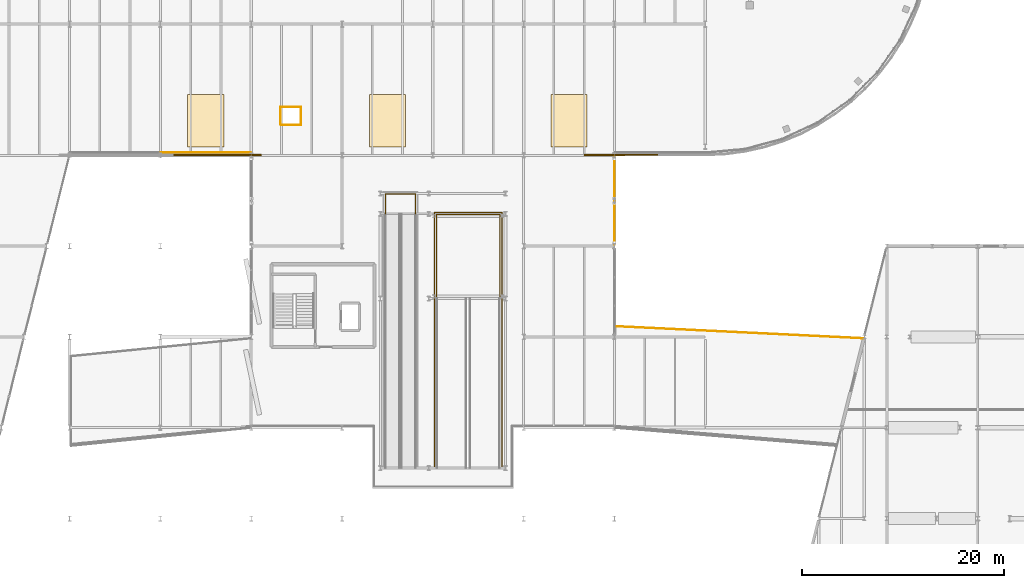
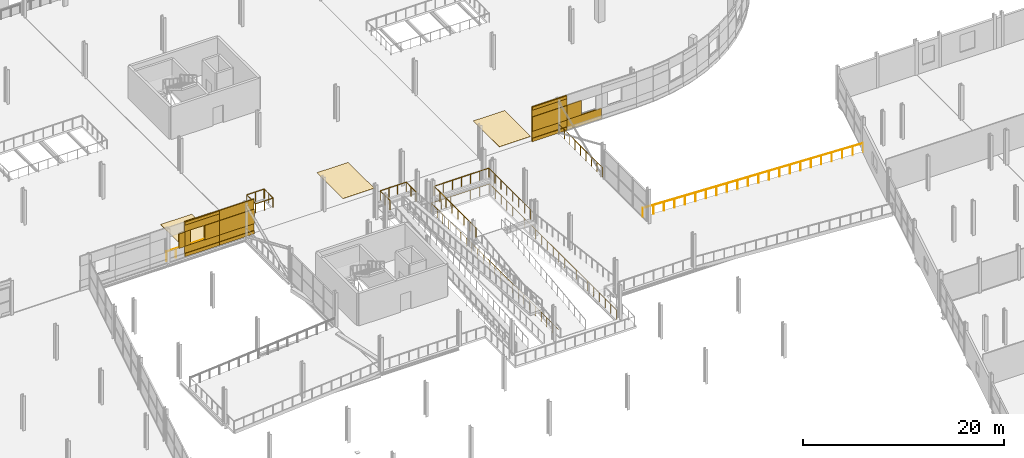
# One storey, part 127 of 135: 21 coverings, 8 railings.
"""IFC4 building model written with IfcOpenShell, lengths in metres."""

from ifc_helpers import new_model, si_unit, direction, frame, origin, origin_2d, place, context, subcontext, project, spatial, polyline, rectangle, circle, outline, extrude, material, layer, layer_set, type_object, element, save


model = new_model("IFC4")

# Units and contexts
model_context = context("Model", 3, precision=1e-05, world=origin(), true_north=direction((0.0, 1.0)))
body_context = subcontext(model_context, "Body", "Model", "MODEL_VIEW")
ifc_project = project(units=[si_unit("LENGTHUNIT", "METRE"), si_unit("AREAUNIT", "SQUARE_METRE"), si_unit("VOLUMEUNIT", "CUBIC_METRE"), si_unit("PLANEANGLEUNIT", "RADIAN"), si_unit("MASSUNIT", "GRAM", prefix="KILO")], contexts=[model_context])

# Site, building, storey
site_placement = place(None, origin())
site = spatial("IfcSite", under=ifc_project, at=site_placement, CompositionType="ELEMENT")
building_placement = place(site_placement, origin())
building = spatial("IfcBuilding", under=site, at=building_placement, Name="Deido Ridge Mobility Hub", CompositionType="ELEMENT")
storey_placement = place(building_placement, frame((0.0, 0.0, 4.199951171875)))
storey = spatial("IfcBuildingStorey", under=building, at=storey_placement, Name="L01", CompositionType="ELEMENT", Elevation=4.199951171875)

# Coverings
ifc_material_1 = material(Name="Fired clay brick masonry", Category="masonry")
ifc_layer_1 = layer(ifc_material_1, 0.114990234375, Name="Fired clay brick masonry")
ifc_layer_set_1 = layer_set([ifc_layer_1], Name="Fired clay brick masonry")
covering_type_1 = type_object("IfcCoveringType", Name="COV-BRK-SCREEN-115", PredefinedType="CLADDING", material=ifc_layer_set_1)
covering_1_placement = place(storey_placement, frame((64.672607421875, 81.02490234375, 1.25), z_axis=(0.0, 0.0, 1.0), x_axis=(1.0, 0.0, 0.0)))
element("IfcCovering", 1, at=covering_1_placement, inside=storey, type_object=covering_type_1, Name="Open brickwork pier BKS1 (L01)", PredefinedType="CLADDING", context=body_context, shape_type="SweptSolid", body=[
    extrude(rectangle(XDim=0.655029296875, YDim=0.179931640625, at=origin_2d()), origin(), (0.0, 0.0, 1.0), 1.75),
])
covering_2_placement = place(storey_placement, frame((67.0, 81.052490234375, 0.0), z_axis=(0.0, 0.0, 1.0), x_axis=(1.0, 0.0, 0.0)))
element("IfcCovering", 2, at=covering_2_placement, inside=storey, type_object=covering_type_1, Name="Open brickwork spandrel course BKS1 (L01)", PredefinedType="CLADDING", context=body_context, shape_type="SweptSolid", body=[
    extrude(rectangle(XDim=4.01611328125, YDim=0.125, at=origin_2d()), origin(), (0.0, 0.0, 1.0), 1.25),
])
covering_3_placement = place(storey_placement, frame((67.0, 81.02490234375, 0.0), z_axis=(0.0, 0.0, 1.0), x_axis=(1.0, 0.0, 0.0)))
element("IfcCovering", 3, at=covering_3_placement, inside=storey, type_object=covering_type_1, Name="Raised brick relief belt BKS1 (L01)", PredefinedType="CLADDING", context=body_context, shape_type="SweptSolid", body=[
    extrude(rectangle(XDim=4.01611328125, YDim=0.179931640625, at=origin_2d()), origin(), (0.0, 0.0, 1.0), 0.39990234375),
])
covering_4_placement = place(storey_placement, frame((67.0, 81.052490234375, 3.0), z_axis=(0.0, 0.0, 1.0), x_axis=(1.0, 0.0, 0.0)))
element("IfcCovering", 4, at=covering_4_placement, inside=storey, type_object=covering_type_1, Name="Open brickwork lintel course BKS1 (L01)", PredefinedType="CLADDING", context=body_context, shape_type="SweptSolid", body=[
    extrude(rectangle(XDim=4.01611328125, YDim=0.125, at=origin_2d()), origin(), (0.0, 0.0, 1.0), 1.199951171875),
])
covering_5_placement = place(storey_placement, frame((67.0, 81.02490234375, 3.83984375), z_axis=(0.0, 0.0, 1.0), x_axis=(1.0, 0.0, 0.0)))
element("IfcCovering", 5, at=covering_5_placement, inside=storey, type_object=covering_type_1, Name="Raised brick relief cornice BKS1 (L01)", PredefinedType="CLADDING", context=body_context, shape_type="SweptSolid", body=[
    extrude(rectangle(XDim=4.01611328125, YDim=0.179931640625, at=origin_2d()), origin(), (0.0, 0.0, 1.0), 0.360107421875),
])
covering_6_placement = place(storey_placement, frame((65.327392578125, 81.052490234375, 1.25), z_axis=(0.0, 0.0, 1.0), x_axis=(1.0, 0.0, 0.0)))
element("IfcCovering", 6, at=covering_6_placement, inside=storey, type_object=covering_type_1, Name="Open brickwork pier BKS1 (L01)", PredefinedType="CLADDING", context=body_context, shape_type="SweptSolid", body=[
    extrude(rectangle(XDim=0.655029296875, YDim=0.125, at=origin_2d()), origin(), (0.0, 0.0, 1.0), 1.75),
])
covering_7_placement = place(storey_placement, frame((68.152587890625, 81.02490234375, 1.25), z_axis=(0.0, 0.0, 1.0), x_axis=(1.0, 0.0, 0.0)))
element("IfcCovering", 7, at=covering_7_placement, inside=storey, type_object=covering_type_1, Name="Open brickwork pier BKS1 (L01)", PredefinedType="CLADDING", context=body_context, shape_type="SweptSolid", body=[
    extrude(rectangle(XDim=1.695068359375, YDim=0.179931640625, at=origin_2d()), origin(), (0.0, 0.0, 1.0), 1.75),
])
covering_8_placement = place(storey_placement, frame((71.0, 81.052490234375, 0.0), z_axis=(0.0, 0.0, 1.0), x_axis=(1.0, 0.0, 0.0)))
element("IfcCovering", 8, at=covering_8_placement, inside=storey, type_object=covering_type_1, Name="Open brickwork spandrel course BKS1 (L01)", PredefinedType="CLADDING", context=body_context, shape_type="SweptSolid", body=[
    extrude(rectangle(XDim=4.01611328125, YDim=0.125, at=origin_2d()), origin(), (0.0, 0.0, 1.0), 1.25),
])
covering_9_placement = place(storey_placement, frame((71.0, 81.02490234375, 0.0), z_axis=(0.0, 0.0, 1.0), x_axis=(1.0, 0.0, 0.0)))
element("IfcCovering", 9, at=covering_9_placement, inside=storey, type_object=covering_type_1, Name="Raised brick relief belt BKS1 (L01)", PredefinedType="CLADDING", context=body_context, shape_type="SweptSolid", body=[
    extrude(rectangle(XDim=4.01611328125, YDim=0.179931640625, at=origin_2d()), origin(), (0.0, 0.0, 1.0), 0.39990234375),
])
covering_10_placement = place(storey_placement, frame((71.0, 81.052490234375, 3.0), z_axis=(0.0, 0.0, 1.0), x_axis=(1.0, 0.0, 0.0)))
element("IfcCovering", 10, at=covering_10_placement, inside=storey, type_object=covering_type_1, Name="Open brickwork lintel course BKS1 (L01)", PredefinedType="CLADDING", context=body_context, shape_type="SweptSolid", body=[
    extrude(rectangle(XDim=4.01611328125, YDim=0.125, at=origin_2d()), origin(), (0.0, 0.0, 1.0), 1.199951171875),
])
covering_11_placement = place(storey_placement, frame((71.0, 81.02490234375, 1.25), z_axis=(0.0, 0.0, 1.0), x_axis=(1.0, 0.0, 0.0)))
element("IfcCovering", 11, at=covering_11_placement, inside=storey, type_object=covering_type_1, Name="Raised brick relief panel BKS1 (L01)", PredefinedType="CLADDING", context=body_context, shape_type="SweptSolid", body=[
    extrude(rectangle(XDim=4.008056640625, YDim=0.179931640625, at=origin_2d()), origin(), (0.0, 0.0, 1.0), 1.75),
])
covering_12_placement = place(storey_placement, frame((107.0, 81.052490234375, 0.0), z_axis=(0.0, 0.0, 1.0), x_axis=(1.0, 0.0, 0.0)))
element("IfcCovering", 12, at=covering_12_placement, inside=storey, type_object=covering_type_1, Name="Open brickwork spandrel course BKS1 (L01)", PredefinedType="CLADDING", context=body_context, shape_type="SweptSolid", body=[
    extrude(rectangle(XDim=4.01611328125, YDim=0.125, at=origin_2d()), origin(), (0.0, 0.0, 1.0), 1.25),
])
covering_13_placement = place(storey_placement, frame((107.0, 81.02490234375, 0.0), z_axis=(0.0, 0.0, 1.0), x_axis=(1.0, 0.0, 0.0)))
element("IfcCovering", 13, at=covering_13_placement, inside=storey, type_object=covering_type_1, Name="Raised brick relief belt BKS1 (L01)", PredefinedType="CLADDING", context=body_context, shape_type="SweptSolid", body=[
    extrude(rectangle(XDim=4.01611328125, YDim=0.179931640625, at=origin_2d()), origin(), (0.0, 0.0, 1.0), 0.39990234375),
])
covering_14_placement = place(storey_placement, frame((107.0, 81.052490234375, 3.0), z_axis=(0.0, 0.0, 1.0), x_axis=(1.0, 0.0, 0.0)))
element("IfcCovering", 14, at=covering_14_placement, inside=storey, type_object=covering_type_1, Name="Open brickwork lintel course BKS1 (L01)", PredefinedType="CLADDING", context=body_context, shape_type="SweptSolid", body=[
    extrude(rectangle(XDim=4.01611328125, YDim=0.125, at=origin_2d()), origin(), (0.0, 0.0, 1.0), 1.199951171875),
])
covering_15_placement = place(storey_placement, frame((107.0, 81.02490234375, 3.83984375), z_axis=(0.0, 0.0, 1.0), x_axis=(1.0, 0.0, 0.0)))
element("IfcCovering", 15, at=covering_15_placement, inside=storey, type_object=covering_type_1, Name="Raised brick relief cornice BKS1 (L01)", PredefinedType="CLADDING", context=body_context, shape_type="SweptSolid", body=[
    extrude(rectangle(XDim=4.01611328125, YDim=0.179931640625, at=origin_2d()), origin(), (0.0, 0.0, 1.0), 0.360107421875),
])
covering_16_placement = place(storey_placement, frame((107.0, 81.02490234375, 1.25), z_axis=(0.0, 0.0, 1.0), x_axis=(1.0, 0.0, 0.0)))
element("IfcCovering", 16, at=covering_16_placement, inside=storey, type_object=covering_type_1, Name="Raised brick relief panel BKS1 (L01)", PredefinedType="CLADDING", context=body_context, shape_type="SweptSolid", body=[
    extrude(rectangle(XDim=4.008056640625, YDim=0.179931640625, at=origin_2d()), origin(), (0.0, 0.0, 1.0), 1.75),
])
covering_17_placement = place(storey_placement, frame((111.0, 81.052490234375, 0.0), z_axis=(0.0, 0.0, 1.0), x_axis=(1.0, 0.0, 0.0)))
element("IfcCovering", 17, at=covering_17_placement, inside=storey, type_object=covering_type_1, Name="Open brickwork spandrel course BKS1 (L01)", PredefinedType="CLADDING", context=body_context, shape_type="SweptSolid", body=[
    extrude(rectangle(XDim=4.01611328125, YDim=0.125, at=origin_2d()), origin(), (0.0, 0.0, 1.0), 1.25),
])
covering_18_placement = place(storey_placement, frame((109.847412109375, 81.052490234375, 1.25), z_axis=(0.0, 0.0, 1.0), x_axis=(1.0, 0.0, 0.0)))
element("IfcCovering", 18, at=covering_18_placement, inside=storey, type_object=covering_type_1, Name="Open brickwork pier BKS1 (L01)", PredefinedType="CLADDING", context=body_context, shape_type="SweptSolid", body=[
    extrude(rectangle(XDim=1.695068359375, YDim=0.125, at=origin_2d()), origin(), (0.0, 0.0, 1.0), 1.75),
])
ifc_material_2 = material(Name="Epoxy terrazzo floor finish")
ifc_layer_2 = layer(ifc_material_2, 0.02001953125, Name="Epoxy terrazzo floor finish")
ifc_layer_set_2 = layer_set([ifc_layer_2], Name="Epoxy terrazzo floor finish")
covering_type_2 = type_object("IfcCoveringType", Name="COV-FLR-TER-20", PredefinedType="FLOORING", material=ifc_layer_set_2)
covering_19_placement = place(storey_placement, origin())
element("IfcCovering", 19, at=covering_19_placement, inside=storey, type_object=covering_type_2, Name="Accessible parking bay marking AB07", PredefinedType="FLOORING", context=body_context, shape_type="SweptSolid", body=[
    extrude(outline(polyline([(65.699951171875, 81.800048828125), (69.300048828125, 81.800048828125), (69.300048828125, 87.0), (65.699951171875, 87.0), (65.699951171875, 81.800048828125)])), origin(), (0.0, 0.0, 1.0), 0.02001953125),
])
covering_20_placement = place(storey_placement, origin())
element("IfcCovering", 20, at=covering_20_placement, inside=storey, type_object=covering_type_2, Name="Accessible parking bay marking AB08", PredefinedType="FLOORING", context=body_context, shape_type="SweptSolid", body=[
    extrude(outline(polyline([(83.699951171875, 81.800048828125), (87.300048828125, 81.800048828125), (87.300048828125, 87.0), (83.699951171875, 87.0), (83.699951171875, 81.800048828125)])), origin(), (0.0, 0.0, 1.0), 0.02001953125),
])
covering_21_placement = place(storey_placement, origin())
element("IfcCovering", 21, at=covering_21_placement, inside=storey, type_object=covering_type_2, Name="Accessible parking bay marking AB09", PredefinedType="FLOORING", context=body_context, shape_type="SweptSolid", body=[
    extrude(outline(polyline([(101.699951171875, 81.800048828125), (105.300048828125, 81.800048828125), (105.300048828125, 87.0), (101.699951171875, 87.0), (101.699951171875, 81.800048828125)])), origin(), (0.0, 0.0, 1.0), 0.02001953125),
])

# Railings
ifc_material_3 = material(Name="Galvanised steel work", Category="steel")
railing_type = type_object("IfcRailingType", Name="RL-GRD-EXT-1150", PredefinedType="GUARDRAIL", material=ifc_material_3)
railing_1_placement = place(storey_placement, frame((108.0, 64.050048828125, 0.0)))
element("IfcRailing", 22, at=railing_1_placement, inside=storey, type_object=railing_type, Name="Skybridge skewed east-north edge guard GR1", PredefinedType="GUARDRAIL", context=body_context, shape_type="SweptSolid", body=[
    extrude(circle(Radius=0.02392578125, at=origin_2d()), frame((0.0, 0.0, 1.1259765625), z_axis=(0.998817242483, -0.048622177236, 0.0), x_axis=(0.048622177236, 0.998817242483, 0.0)), (0.0, 0.0, 1.0), 24.67919921875),
    extrude(circle(Radius=0.02099609375, at=origin_2d()), origin(), (0.0, 0.0, 1.0), 1.101806640625),
    extrude(circle(Radius=0.02099609375, at=origin_2d()), frame((1.173828125, -0.05712890625, 0.0)), (0.0, 0.0, 1.0), 1.101806640625),
    extrude(circle(Radius=0.02099609375, at=origin_2d()), frame((2.34765625, -0.1142578125, 0.0)), (0.0, 0.0, 1.0), 1.101806640625),
    extrude(circle(Radius=0.02099609375, at=origin_2d()), frame((3.521484375, -0.17138671875, 0.0)), (0.0, 0.0, 1.0), 1.101806640625),
    extrude(circle(Radius=0.02099609375, at=origin_2d()), frame((4.6953125, -0.228515625, 0.0)), (0.0, 0.0, 1.0), 1.101806640625),
    extrude(circle(Radius=0.02099609375, at=origin_2d()), frame((5.869140625, -0.28564453125, 0.0)), (0.0, 0.0, 1.0), 1.101806640625),
    extrude(circle(Radius=0.02099609375, at=origin_2d()), frame((7.042724609375, -0.3427734375, 0.0)), (0.0, 0.0, 1.0), 1.101806640625),
    extrude(circle(Radius=0.02099609375, at=origin_2d()), frame((8.216552734375, -0.39990234375, 0.0)), (0.0, 0.0, 1.0), 1.101806640625),
    extrude(circle(Radius=0.02099609375, at=origin_2d()), frame((9.390380859375, -0.45703125, 0.0)), (0.0, 0.0, 1.0), 1.101806640625),
    extrude(circle(Radius=0.02099609375, at=origin_2d()), frame((10.564208984375, -0.51416015625, 0.0)), (0.0, 0.0, 1.0), 1.101806640625),
    extrude(circle(Radius=0.02099609375, at=origin_2d()), frame((11.738037109375, -0.5712890625, 0.0)), (0.0, 0.0, 1.0), 1.101806640625),
    extrude(circle(Radius=0.02099609375, at=origin_2d()), frame((12.911865234375, -0.628662109375, 0.0)), (0.0, 0.0, 1.0), 1.101806640625),
    extrude(circle(Radius=0.02099609375, at=origin_2d()), frame((14.085693359375, -0.685791015625, 0.0)), (0.0, 0.0, 1.0), 1.101806640625),
    extrude(circle(Radius=0.02099609375, at=origin_2d()), frame((15.259521484375, -0.742919921875, 0.0)), (0.0, 0.0, 1.0), 1.101806640625),
    extrude(circle(Radius=0.02099609375, at=origin_2d()), frame((16.433349609375, -0.800048828125, 0.0)), (0.0, 0.0, 1.0), 1.101806640625),
    extrude(circle(Radius=0.02099609375, at=origin_2d()), frame((17.607177734375, -0.857177734375, 0.0)), (0.0, 0.0, 1.0), 1.101806640625),
    extrude(circle(Radius=0.02099609375, at=origin_2d()), frame((18.78076171875, -0.914306640625, 0.0)), (0.0, 0.0, 1.0), 1.101806640625),
    extrude(circle(Radius=0.02099609375, at=origin_2d()), frame((19.95458984375, -0.971435546875, 0.0)), (0.0, 0.0, 1.0), 1.101806640625),
    extrude(circle(Radius=0.02099609375, at=origin_2d()), frame((21.12841796875, -1.028564453125, 0.0)), (0.0, 0.0, 1.0), 1.101806640625),
    extrude(circle(Radius=0.02099609375, at=origin_2d()), frame((22.30224609375, -1.085693359375, 0.0)), (0.0, 0.0, 1.0), 1.101806640625),
    extrude(circle(Radius=0.02099609375, at=origin_2d()), frame((23.47607421875, -1.142822265625, 0.0)), (0.0, 0.0, 1.0), 1.101806640625),
    extrude(circle(Radius=0.02099609375, at=origin_2d()), frame((24.64990234375, -1.199951171875, 0.0)), (0.0, 0.0, 1.0), 1.101806640625),
])
railing_2_placement = place(storey_placement, frame((108.0, 72.14990234375, 0.0)))
element("IfcRailing", 23, at=railing_2_placement, inside=storey, type_object=railing_type, Name="Braced bay perimeter guard (L01)", PredefinedType="GUARDRAIL", context=body_context, shape_type="SweptSolid", body=[
    extrude(circle(Radius=0.02392578125, at=origin_2d()), frame((0.0, 0.0, 1.1259765625), z_axis=(0.0, 1.0, 0.0), x_axis=(-1.0, 0.0, 0.0)), (0.0, 0.0, 1.0), 8.7001953125),
    extrude(circle(Radius=0.02099609375, at=origin_2d()), origin(), (0.0, 0.0, 1.0), 1.101806640625),
    extrude(circle(Radius=0.02099609375, at=origin_2d()), frame((0.0, 1.08740234375, 0.0)), (0.0, 0.0, 1.0), 1.101806640625),
    extrude(circle(Radius=0.02099609375, at=origin_2d()), frame((0.0, 2.175048828125, 0.0)), (0.0, 0.0, 1.0), 1.101806640625),
    extrude(circle(Radius=0.02099609375, at=origin_2d()), frame((0.0, 3.2626953125, 0.0)), (0.0, 0.0, 1.0), 1.101806640625),
    extrude(circle(Radius=0.02099609375, at=origin_2d()), frame((0.0, 4.35009765625, 0.0)), (0.0, 0.0, 1.0), 1.101806640625),
    extrude(circle(Radius=0.02099609375, at=origin_2d()), frame((0.0, 5.4375, 0.0)), (0.0, 0.0, 1.0), 1.101806640625),
    extrude(circle(Radius=0.02099609375, at=origin_2d()), frame((0.0, 6.525146484375, 0.0)), (0.0, 0.0, 1.0), 1.101806640625),
    extrude(circle(Radius=0.02099609375, at=origin_2d()), frame((0.0, 7.61279296875, 0.0)), (0.0, 0.0, 1.0), 1.101806640625),
    extrude(circle(Radius=0.02099609375, at=origin_2d()), frame((0.0, 8.7001953125, 0.0)), (0.0, 0.0, 1.0), 1.101806640625),
])
railing_3_placement = place(storey_placement, frame((63.0400390625, 81.25, 0.0)))
element("IfcRailing", 24, at=railing_3_placement, inside=storey, type_object=railing_type, Name="Parking drum perimeter guard (L01)", PredefinedType="GUARDRAIL", context=body_context, shape_type="SweptSolid", body=[
    extrude(circle(Radius=0.02392578125, at=origin_2d()), frame((0.0, 0.0, 1.1259765625), z_axis=(1.0, 0.0, 0.0), x_axis=(0.0, 1.0, 0.0)), (0.0, 0.0, 1.0), 8.919921875),
    extrude(circle(Radius=0.02099609375, at=origin_2d()), origin(), (0.0, 0.0, 1.0), 1.101806640625),
    extrude(circle(Radius=0.02099609375, at=origin_2d()), frame((1.114990234375, 0.0, 0.0)), (0.0, 0.0, 1.0), 1.101806640625),
    extrude(circle(Radius=0.02099609375, at=origin_2d()), frame((2.22998046875, 0.0, 0.0)), (0.0, 0.0, 1.0), 1.101806640625),
    extrude(circle(Radius=0.02099609375, at=origin_2d()), frame((3.344970703125, 0.0, 0.0)), (0.0, 0.0, 1.0), 1.101806640625),
    extrude(circle(Radius=0.02099609375, at=origin_2d()), frame((4.4599609375, 0.0, 0.0)), (0.0, 0.0, 1.0), 1.101806640625),
    extrude(circle(Radius=0.02099609375, at=origin_2d()), frame((5.574951171875, 0.0, 0.0)), (0.0, 0.0, 1.0), 1.101806640625),
    extrude(circle(Radius=0.02099609375, at=origin_2d()), frame((6.68994140625, 0.0, 0.0)), (0.0, 0.0, 1.0), 1.101806640625),
    extrude(circle(Radius=0.02099609375, at=origin_2d()), frame((7.804931640625, 0.0, 0.0)), (0.0, 0.0, 1.0), 1.101806640625),
    extrude(circle(Radius=0.02099609375, at=origin_2d()), frame((8.919921875, 0.0, 0.0)), (0.0, 0.0, 1.0), 1.101806640625),
])
railing_4_placement = place(storey_placement, frame((90.14990234375, 50.0, 0.0)))
element("IfcRailing", 25, at=railing_4_placement, inside=storey, type_object=railing_type, Name="Vehicle ramp well guard (L01)", PredefinedType="GUARDRAIL", context=body_context, shape_type="SweptSolid", body=[
    extrude(circle(Radius=0.02392578125, at=origin_2d()), frame((0.0, 0.0, 1.1259765625), z_axis=(0.0, 1.0, 0.0), x_axis=(-1.0, 0.0, 0.0)), (0.0, 0.0, 1.0), 25.35009765625),
    extrude(circle(Radius=0.02392578125, at=origin_2d()), frame((0.0, 25.35009765625, 1.1259765625), z_axis=(1.0, 0.0, 0.0), x_axis=(0.0, 1.0, 0.0)), (0.0, 0.0, 1.0), 6.7001953125),
    extrude(circle(Radius=0.02392578125, at=origin_2d()), frame((6.7001953125, 25.35009765625, 1.1259765625), z_axis=(0.0, -1.0, 0.0), x_axis=(1.0, 0.0, 0.0)), (0.0, 0.0, 1.0), 25.35009765625),
    extrude(circle(Radius=0.02099609375, at=origin_2d()), origin(), (0.0, 0.0, 1.0), 1.101806640625),
    extrude(circle(Radius=0.02099609375, at=origin_2d()), frame((0.0, 1.15234375, 0.0)), (0.0, 0.0, 1.0), 1.101806640625),
    extrude(circle(Radius=0.02099609375, at=origin_2d()), frame((0.0, 2.304443359375, 0.0)), (0.0, 0.0, 1.0), 1.101806640625),
    extrude(circle(Radius=0.02099609375, at=origin_2d()), frame((0.0, 3.456787109375, 0.0)), (0.0, 0.0, 1.0), 1.101806640625),
    extrude(circle(Radius=0.02099609375, at=origin_2d()), frame((0.0, 4.609130859375, 0.0)), (0.0, 0.0, 1.0), 1.101806640625),
    extrude(circle(Radius=0.02099609375, at=origin_2d()), frame((0.0, 5.761474609375, 0.0)), (0.0, 0.0, 1.0), 1.101806640625),
    extrude(circle(Radius=0.02099609375, at=origin_2d()), frame((0.0, 6.91357421875, 0.0)), (0.0, 0.0, 1.0), 1.101806640625),
    extrude(circle(Radius=0.02099609375, at=origin_2d()), frame((0.0, 8.06591796875, 0.0)), (0.0, 0.0, 1.0), 1.101806640625),
    extrude(circle(Radius=0.02099609375, at=origin_2d()), frame((0.0, 9.21826171875, 0.0)), (0.0, 0.0, 1.0), 1.101806640625),
    extrude(circle(Radius=0.02099609375, at=origin_2d()), frame((0.0, 10.37060546875, 0.0)), (0.0, 0.0, 1.0), 1.101806640625),
    extrude(circle(Radius=0.02099609375, at=origin_2d()), frame((0.0, 11.522705078125, 0.0)), (0.0, 0.0, 1.0), 1.101806640625),
    extrude(circle(Radius=0.02099609375, at=origin_2d()), frame((0.0, 12.675048828125, 0.0)), (0.0, 0.0, 1.0), 1.101806640625),
    extrude(circle(Radius=0.02099609375, at=origin_2d()), frame((0.0, 13.827392578125, 0.0)), (0.0, 0.0, 1.0), 1.101806640625),
    extrude(circle(Radius=0.02099609375, at=origin_2d()), frame((0.0, 14.9794921875, 0.0)), (0.0, 0.0, 1.0), 1.101806640625),
    extrude(circle(Radius=0.02099609375, at=origin_2d()), frame((0.0, 16.1318359375, 0.0)), (0.0, 0.0, 1.0), 1.101806640625),
    extrude(circle(Radius=0.02099609375, at=origin_2d()), frame((0.0, 17.2841796875, 0.0)), (0.0, 0.0, 1.0), 1.101806640625),
    extrude(circle(Radius=0.02099609375, at=origin_2d()), frame((0.0, 18.4365234375, 0.0)), (0.0, 0.0, 1.0), 1.101806640625),
    extrude(circle(Radius=0.02099609375, at=origin_2d()), frame((0.0, 19.588623046875, 0.0)), (0.0, 0.0, 1.0), 1.101806640625),
    extrude(circle(Radius=0.02099609375, at=origin_2d()), frame((0.0, 20.740966796875, 0.0)), (0.0, 0.0, 1.0), 1.101806640625),
    extrude(circle(Radius=0.02099609375, at=origin_2d()), frame((0.0, 21.893310546875, 0.0)), (0.0, 0.0, 1.0), 1.101806640625),
    extrude(circle(Radius=0.02099609375, at=origin_2d()), frame((0.0, 23.045654296875, 0.0)), (0.0, 0.0, 1.0), 1.101806640625),
    extrude(circle(Radius=0.02099609375, at=origin_2d()), frame((0.0, 24.19775390625, 0.0)), (0.0, 0.0, 1.0), 1.101806640625),
    extrude(circle(Radius=0.02099609375, at=origin_2d()), frame((0.0, 25.35009765625, 0.0)), (0.0, 0.0, 1.0), 1.101806640625),
    extrude(circle(Radius=0.02099609375, at=origin_2d()), frame((1.11669921875, 25.35009765625, 0.0)), (0.0, 0.0, 1.0), 1.101806640625),
    extrude(circle(Radius=0.02099609375, at=origin_2d()), frame((2.2333984375, 25.35009765625, 0.0)), (0.0, 0.0, 1.0), 1.101806640625),
    extrude(circle(Radius=0.02099609375, at=origin_2d()), frame((3.35009765625, 25.35009765625, 0.0)), (0.0, 0.0, 1.0), 1.101806640625),
    extrude(circle(Radius=0.02099609375, at=origin_2d()), frame((4.466796875, 25.35009765625, 0.0)), (0.0, 0.0, 1.0), 1.101806640625),
    extrude(circle(Radius=0.02099609375, at=origin_2d()), frame((5.58349609375, 25.35009765625, 0.0)), (0.0, 0.0, 1.0), 1.101806640625),
    extrude(circle(Radius=0.02099609375, at=origin_2d()), frame((6.7001953125, 25.35009765625, 0.0)), (0.0, 0.0, 1.0), 1.101806640625),
    extrude(circle(Radius=0.02099609375, at=origin_2d()), frame((6.7001953125, 24.19775390625, 0.0)), (0.0, 0.0, 1.0), 1.101806640625),
    extrude(circle(Radius=0.02099609375, at=origin_2d()), frame((6.7001953125, 23.045654296875, 0.0)), (0.0, 0.0, 1.0), 1.101806640625),
    extrude(circle(Radius=0.02099609375, at=origin_2d()), frame((6.7001953125, 21.893310546875, 0.0)), (0.0, 0.0, 1.0), 1.101806640625),
    extrude(circle(Radius=0.02099609375, at=origin_2d()), frame((6.7001953125, 20.740966796875, 0.0)), (0.0, 0.0, 1.0), 1.101806640625),
    extrude(circle(Radius=0.02099609375, at=origin_2d()), frame((6.7001953125, 19.588623046875, 0.0)), (0.0, 0.0, 1.0), 1.101806640625),
    extrude(circle(Radius=0.02099609375, at=origin_2d()), frame((6.7001953125, 18.4365234375, 0.0)), (0.0, 0.0, 1.0), 1.101806640625),
    extrude(circle(Radius=0.02099609375, at=origin_2d()), frame((6.7001953125, 17.2841796875, 0.0)), (0.0, 0.0, 1.0), 1.101806640625),
    extrude(circle(Radius=0.02099609375, at=origin_2d()), frame((6.7001953125, 16.1318359375, 0.0)), (0.0, 0.0, 1.0), 1.101806640625),
    extrude(circle(Radius=0.02099609375, at=origin_2d()), frame((6.7001953125, 14.9794921875, 0.0)), (0.0, 0.0, 1.0), 1.101806640625),
    extrude(circle(Radius=0.02099609375, at=origin_2d()), frame((6.7001953125, 13.827392578125, 0.0)), (0.0, 0.0, 1.0), 1.101806640625),
    extrude(circle(Radius=0.02099609375, at=origin_2d()), frame((6.7001953125, 12.675048828125, 0.0)), (0.0, 0.0, 1.0), 1.101806640625),
    extrude(circle(Radius=0.02099609375, at=origin_2d()), frame((6.7001953125, 11.522705078125, 0.0)), (0.0, 0.0, 1.0), 1.101806640625),
    extrude(circle(Radius=0.02099609375, at=origin_2d()), frame((6.7001953125, 10.37060546875, 0.0)), (0.0, 0.0, 1.0), 1.101806640625),
    extrude(circle(Radius=0.02099609375, at=origin_2d()), frame((6.7001953125, 9.21826171875, 0.0)), (0.0, 0.0, 1.0), 1.101806640625),
    extrude(circle(Radius=0.02099609375, at=origin_2d()), frame((6.7001953125, 8.06591796875, 0.0)), (0.0, 0.0, 1.0), 1.101806640625),
    extrude(circle(Radius=0.02099609375, at=origin_2d()), frame((6.7001953125, 6.91357421875, 0.0)), (0.0, 0.0, 1.0), 1.101806640625),
    extrude(circle(Radius=0.02099609375, at=origin_2d()), frame((6.7001953125, 5.761474609375, 0.0)), (0.0, 0.0, 1.0), 1.101806640625),
    extrude(circle(Radius=0.02099609375, at=origin_2d()), frame((6.7001953125, 4.609130859375, 0.0)), (0.0, 0.0, 1.0), 1.101806640625),
    extrude(circle(Radius=0.02099609375, at=origin_2d()), frame((6.7001953125, 3.456787109375, 0.0)), (0.0, 0.0, 1.0), 1.101806640625),
    extrude(circle(Radius=0.02099609375, at=origin_2d()), frame((6.7001953125, 2.304443359375, 0.0)), (0.0, 0.0, 1.0), 1.101806640625),
    extrude(circle(Radius=0.02099609375, at=origin_2d()), frame((6.7001953125, 1.15234375, 0.0)), (0.0, 0.0, 1.0), 1.101806640625),
    extrude(circle(Radius=0.02099609375, at=origin_2d()), frame((6.7001953125, 0.0, 0.0)), (0.0, 0.0, 1.0), 1.101806640625),
])
railing_5_placement = place(storey_placement, frame((90.35009765625, 66.800048828125, 2.10009765625)))
element("IfcRailing", 26, at=railing_5_placement, inside=storey, type_object=railing_type, Name="Vehicle ramp landing guard (L01)", PredefinedType="GUARDRAIL", context=body_context, shape_type="SweptSolid", body=[
    extrude(circle(Radius=0.02392578125, at=origin_2d()), frame((0.0, 0.0, 1.1259765625), z_axis=(0.0, 1.0, 0.0), x_axis=(-1.0, 0.0, 0.0)), (0.0, 0.0, 1.0), 8.349853515625),
    extrude(circle(Radius=0.02392578125, at=origin_2d()), frame((0.0, 8.349853515625, 1.1259765625), z_axis=(1.0, 0.0, 0.0), x_axis=(0.0, 1.0, 0.0)), (0.0, 0.0, 1.0), 6.2998046875),
    extrude(circle(Radius=0.02392578125, at=origin_2d()), frame((6.2998046875, 8.349853515625, 1.1259765625), z_axis=(0.0, -1.0, 0.0), x_axis=(1.0, 0.0, 0.0)), (0.0, 0.0, 1.0), 8.349853515625),
    extrude(circle(Radius=0.02099609375, at=origin_2d()), origin(), (0.0, 0.0, 1.0), 1.101806640625),
    extrude(circle(Radius=0.02099609375, at=origin_2d()), frame((0.0, 1.19287109375, 0.0)), (0.0, 0.0, 1.0), 1.101806640625),
    extrude(circle(Radius=0.02099609375, at=origin_2d()), frame((0.0, 2.3857421875, 0.0)), (0.0, 0.0, 1.0), 1.101806640625),
    extrude(circle(Radius=0.02099609375, at=origin_2d()), frame((0.0, 3.57861328125, 0.0)), (0.0, 0.0, 1.0), 1.101806640625),
    extrude(circle(Radius=0.02099609375, at=origin_2d()), frame((0.0, 4.771240234375, 0.0)), (0.0, 0.0, 1.0), 1.101806640625),
    extrude(circle(Radius=0.02099609375, at=origin_2d()), frame((0.0, 5.964111328125, 0.0)), (0.0, 0.0, 1.0), 1.101806640625),
    extrude(circle(Radius=0.02099609375, at=origin_2d()), frame((0.0, 7.156982421875, 0.0)), (0.0, 0.0, 1.0), 1.101806640625),
    extrude(circle(Radius=0.02099609375, at=origin_2d()), frame((0.0, 8.349853515625, 0.0)), (0.0, 0.0, 1.0), 1.101806640625),
    extrude(circle(Radius=0.02099609375, at=origin_2d()), frame((1.050048828125, 8.349853515625, 0.0)), (0.0, 0.0, 1.0), 1.101806640625),
    extrude(circle(Radius=0.02099609375, at=origin_2d()), frame((2.099853515625, 8.349853515625, 0.0)), (0.0, 0.0, 1.0), 1.101806640625),
    extrude(circle(Radius=0.02099609375, at=origin_2d()), frame((3.14990234375, 8.349853515625, 0.0)), (0.0, 0.0, 1.0), 1.101806640625),
    extrude(circle(Radius=0.02099609375, at=origin_2d()), frame((4.199951171875, 8.349853515625, 0.0)), (0.0, 0.0, 1.0), 1.101806640625),
    extrude(circle(Radius=0.02099609375, at=origin_2d()), frame((5.249755859375, 8.349853515625, 0.0)), (0.0, 0.0, 1.0), 1.101806640625),
    extrude(circle(Radius=0.02099609375, at=origin_2d()), frame((6.2998046875, 8.349853515625, 0.0)), (0.0, 0.0, 1.0), 1.101806640625),
    extrude(circle(Radius=0.02099609375, at=origin_2d()), frame((6.2998046875, 7.156982421875, 0.0)), (0.0, 0.0, 1.0), 1.101806640625),
    extrude(circle(Radius=0.02099609375, at=origin_2d()), frame((6.2998046875, 5.964111328125, 0.0)), (0.0, 0.0, 1.0), 1.101806640625),
    extrude(circle(Radius=0.02099609375, at=origin_2d()), frame((6.2998046875, 4.771240234375, 0.0)), (0.0, 0.0, 1.0), 1.101806640625),
    extrude(circle(Radius=0.02099609375, at=origin_2d()), frame((6.2998046875, 3.57861328125, 0.0)), (0.0, 0.0, 1.0), 1.101806640625),
    extrude(circle(Radius=0.02099609375, at=origin_2d()), frame((6.2998046875, 2.3857421875, 0.0)), (0.0, 0.0, 1.0), 1.101806640625),
    extrude(circle(Radius=0.02099609375, at=origin_2d()), frame((6.2998046875, 1.19287109375, 0.0)), (0.0, 0.0, 1.0), 1.101806640625),
    extrude(circle(Radius=0.02099609375, at=origin_2d()), frame((6.2998046875, 0.0, 0.0)), (0.0, 0.0, 1.0), 1.101806640625),
])
railing_6_placement = place(storey_placement, frame((85.300048828125, 75.199951171875, 2.10009765625)))
element("IfcRailing", 27, at=railing_6_placement, inside=storey, type_object=railing_type, Name="Cycle ramp landing guard (L01)", PredefinedType="GUARDRAIL", context=body_context, shape_type="SweptSolid", body=[
    extrude(circle(Radius=0.02392578125, at=origin_2d()), frame((0.0, 0.0, 1.1259765625), z_axis=(0.0, 1.0, 0.0), x_axis=(-1.0, 0.0, 0.0)), (0.0, 0.0, 1.0), 1.949951171875),
    extrude(circle(Radius=0.02392578125, at=origin_2d()), frame((0.0, 1.949951171875, 1.1259765625), z_axis=(1.0, 0.0, 0.0), x_axis=(0.0, 1.0, 0.0)), (0.0, 0.0, 1.0), 3.0),
    extrude(circle(Radius=0.02392578125, at=origin_2d()), frame((3.0, 1.949951171875, 1.1259765625), z_axis=(0.0, -1.0, 0.0), x_axis=(1.0, 0.0, 0.0)), (0.0, 0.0, 1.0), 1.949951171875),
    extrude(circle(Radius=0.02099609375, at=origin_2d()), origin(), (0.0, 0.0, 1.0), 1.101806640625),
    extrude(circle(Radius=0.02099609375, at=origin_2d()), frame((0.0, 0.97509765625, 0.0)), (0.0, 0.0, 1.0), 1.101806640625),
    extrude(circle(Radius=0.02099609375, at=origin_2d()), frame((0.0, 1.949951171875, 0.0)), (0.0, 0.0, 1.0), 1.101806640625),
    extrude(circle(Radius=0.02099609375, at=origin_2d()), frame((1.0, 1.949951171875, 0.0)), (0.0, 0.0, 1.0), 1.101806640625),
    extrude(circle(Radius=0.02099609375, at=origin_2d()), frame((2.0, 1.949951171875, 0.0)), (0.0, 0.0, 1.0), 1.101806640625),
    extrude(circle(Radius=0.02099609375, at=origin_2d()), frame((3.0, 1.949951171875, 0.0)), (0.0, 0.0, 1.0), 1.101806640625),
    extrude(circle(Radius=0.02099609375, at=origin_2d()), frame((3.0, 0.97509765625, 0.0)), (0.0, 0.0, 1.0), 1.101806640625),
    extrude(circle(Radius=0.02099609375, at=origin_2d()), frame((3.0, 0.0, 0.0)), (0.0, 0.0, 1.0), 1.101806640625),
])
railing_7_placement = place(storey_placement, frame((74.925048828125, 84.0, 0.0)))
element("IfcRailing", 28, at=railing_7_placement, inside=storey, type_object=railing_type, Name="Service riser shaft guard (L01) A", PredefinedType="GUARDRAIL", context=body_context, shape_type="SweptSolid", body=[
    extrude(circle(Radius=0.02392578125, at=origin_2d()), frame((0.0, 0.0, 1.1259765625), z_axis=(1.0, 0.0, 0.0), x_axis=(0.0, 1.0, 0.0)), (0.0, 0.0, 1.0), 2.0),
    extrude(circle(Radius=0.02392578125, at=origin_2d()), frame((2.0, 0.0, 1.1259765625), z_axis=(0.0, 1.0, 0.0), x_axis=(-1.0, 0.0, 0.0)), (0.0, 0.0, 1.0), 1.739990234375),
    extrude(circle(Radius=0.02099609375, at=origin_2d()), origin(), (0.0, 0.0, 1.0), 1.101806640625),
    extrude(circle(Radius=0.02099609375, at=origin_2d()), frame((1.0, 0.0, 0.0)), (0.0, 0.0, 1.0), 1.101806640625),
    extrude(circle(Radius=0.02099609375, at=origin_2d()), frame((2.0, 0.0, 0.0)), (0.0, 0.0, 1.0), 1.101806640625),
    extrude(circle(Radius=0.02099609375, at=origin_2d()), frame((2.0, 0.8701171875, 0.0)), (0.0, 0.0, 1.0), 1.101806640625),
    extrude(circle(Radius=0.02099609375, at=origin_2d()), frame((2.0, 1.739990234375, 0.0)), (0.0, 0.0, 1.0), 1.101806640625),
])
railing_8_placement = place(storey_placement, frame((76.925048828125, 85.800048828125, 0.0)))
element("IfcRailing", 29, at=railing_8_placement, inside=storey, type_object=railing_type, Name="Service riser shaft guard (L01) B", PredefinedType="GUARDRAIL", context=body_context, shape_type="SweptSolid", body=[
    extrude(circle(Radius=0.02392578125, at=origin_2d()), frame((0.0, 0.0, 1.1259765625), z_axis=(-1.0, 0.0, 0.0), x_axis=(0.0, -1.0, 0.0)), (0.0, 0.0, 1.0), 2.0),
    extrude(circle(Radius=0.02392578125, at=origin_2d()), frame((-2.0, 0.0, 1.1259765625), z_axis=(0.0, -1.0, 0.0), x_axis=(1.0, 0.0, 0.0)), (0.0, 0.0, 1.0), 1.739990234375),
    extrude(circle(Radius=0.02099609375, at=origin_2d()), origin(), (0.0, 0.0, 1.0), 1.101806640625),
    extrude(circle(Radius=0.02099609375, at=origin_2d()), frame((-1.0, 0.0, 0.0)), (0.0, 0.0, 1.0), 1.101806640625),
    extrude(circle(Radius=0.02099609375, at=origin_2d()), frame((-2.0, 0.0, 0.0)), (0.0, 0.0, 1.0), 1.101806640625),
    extrude(circle(Radius=0.02099609375, at=origin_2d()), frame((-2.0, -0.8701171875, 0.0)), (0.0, 0.0, 1.0), 1.101806640625),
    extrude(circle(Radius=0.02099609375, at=origin_2d()), frame((-2.0, -1.739990234375, 0.0)), (0.0, 0.0, 1.0), 1.101806640625),
])

save(model, "model.ifc")
